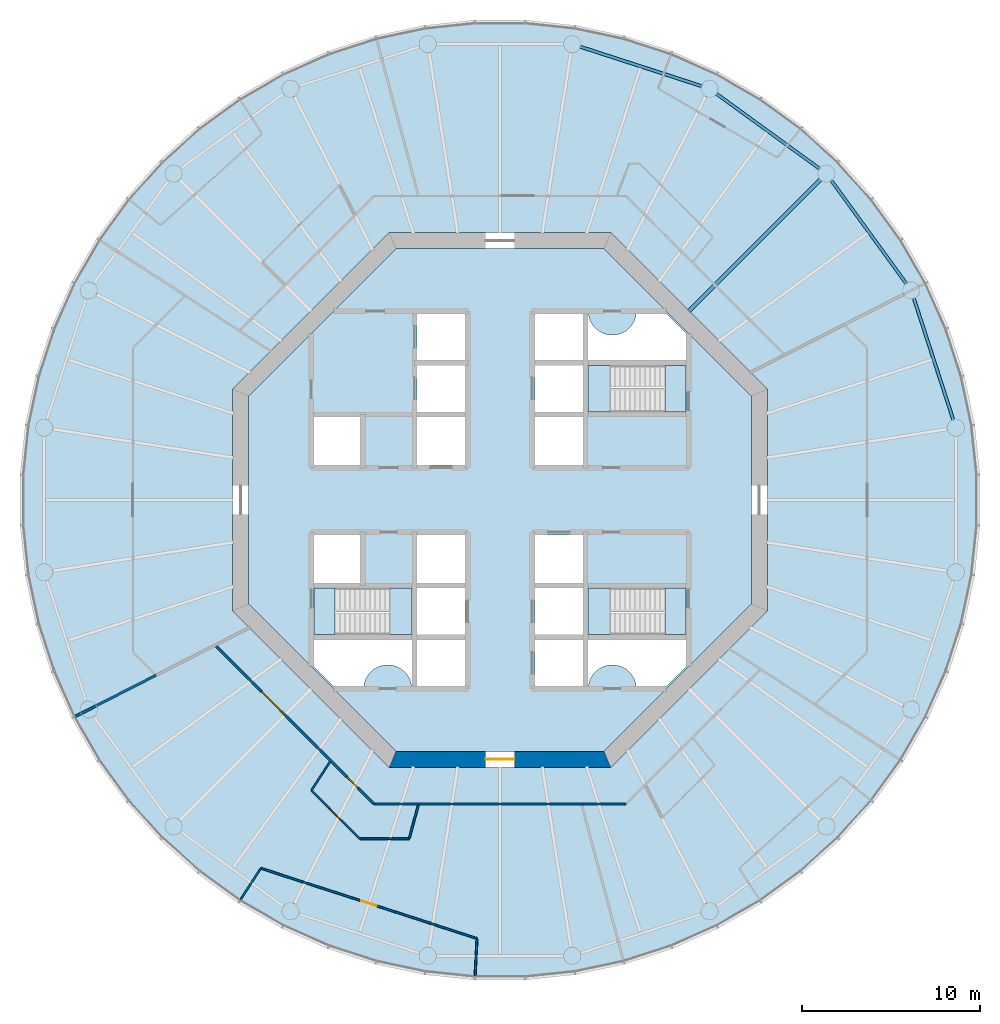
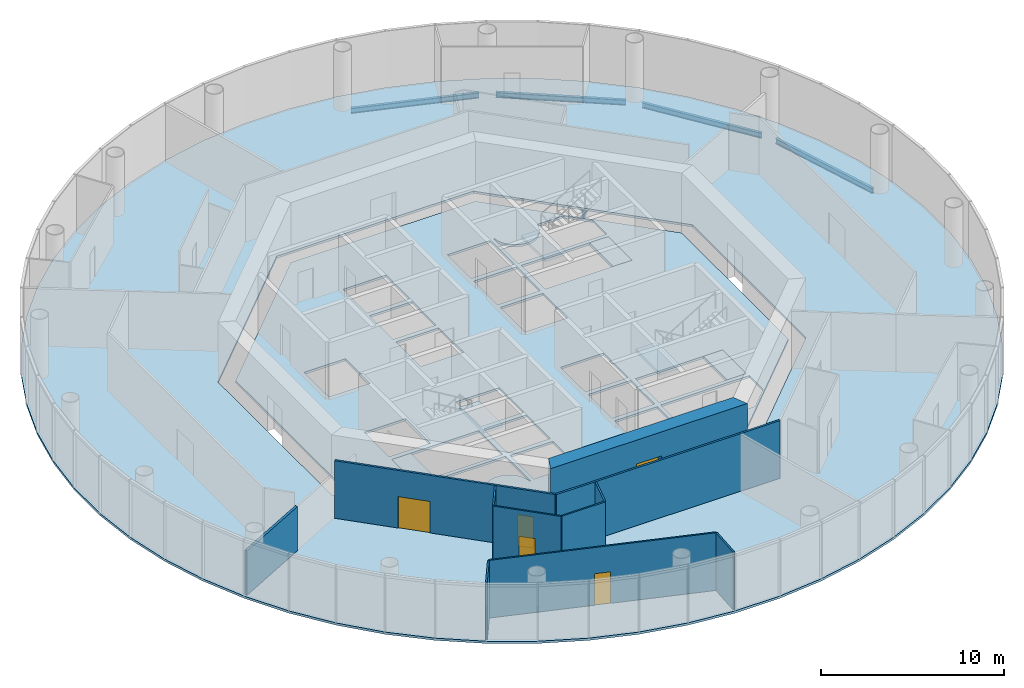
# One storey, part 2 of 12: 11 walls, 8 slabs, 5 beams, 5 doors, 5 openings, 3 elements without a shape of their own.
"""IFC4 building model written with IfcOpenShell, lengths in metres."""

from ifc_helpers import new_model, si_unit, direction, frame, frame_2d, origin, origin_2d, place, context, subcontext, project, spatial, polyline, rectangle, i_section, outline, extrude, material, layer, layer_set, material_profile, profile_set, type_object, element, fill, aggregate, save


model = new_model("IFC4")

# Units and contexts
model_context = context("Model", 3, precision=1e-05, world=origin(), true_north=direction((0.0, 1.0)))
body_context = subcontext(model_context, "Body", "Model", "MODEL_VIEW")
ifc_project = project(units=[si_unit("LENGTHUNIT", "METRE"), si_unit("AREAUNIT", "SQUARE_METRE"), si_unit("VOLUMEUNIT", "CUBIC_METRE"), si_unit("PLANEANGLEUNIT", "RADIAN"), si_unit("MASSUNIT", "GRAM", prefix="KILO")], contexts=[model_context])

# Site, building, storey
site_placement = place(None, origin())
site = spatial("IfcSite", under=ifc_project, at=site_placement, CompositionType="ELEMENT")
building_placement = place(site_placement, origin())
building = spatial("IfcBuilding", under=site, at=building_placement, Name="Entoto Ring Tower", CompositionType="ELEMENT")
storey_placement = place(building_placement, frame((0.0, 0.0, 222.0)))
storey = spatial("IfcBuildingStorey", under=building, at=storey_placement, Name="L51", CompositionType="ELEMENT", Elevation=222.0)

# Beams
ifc_material_1 = material(Name="Steel S355", Category="steel")
ifc_material_profile_1 = material_profile(ifc_material_1, i_section(OverallWidth=0.169921875, OverallDepth=0.360107421875, WebThickness=0.008056640625, FlangeThickness=0.0126953125, FilletRadius=0.01806640625, at=origin_2d()), Name="IPE 360")
ifc_profile_set_1 = profile_set([ifc_material_profile_1], Name="Steel S355")
beam_type_1 = type_object("IfcBeamType", Name="Edge beam IPE 360", PredefinedType="SPANDREL", material=ifc_profile_set_1)
beam_1_placement = place(storey_placement, frame((115.43505859375, 84.501220703125, -0.330078125), z_axis=(-0.309015118354, 0.951057125849, 0.0), x_axis=(-0.951057125849, -0.309015118354, 0.0)))
element("IfcBeam", 1, at=beam_1_placement, inside=storey, type_object=beam_type_1, Name="Edge beam L51 01", PredefinedType="SPANDREL", context=body_context, shape_type="SweptSolid", body=[
    extrude(i_section(OverallWidth=0.169921875, OverallDepth=0.360107421875, WebThickness=0.008056640625, FlangeThickness=0.0126953125, FilletRadius=0.01806640625, at=origin_2d()), origin(), (0.0, 0.0, 1.0), 7.157958984375),
])
for number, where, z_axis, x_axis, name in (
    (2, (112.79931640625, 92.140625, -0.330078125), (-0.587794432314, 0.809010324619, 0.0), (-0.809010324619, -0.587794432314, 0.0), "Edge beam L51 02"),
    (3, (107.931640625, 98.591796875, -0.330078125), (-0.809010324619, 0.587794432314, 0.0), (-0.587794432314, -0.809010324619, 0.0), "Edge beam L51 03"),
):
    element("IfcBeam", number, at=place(storey_placement, frame(where, z_axis=z_axis, x_axis=x_axis)), inside=storey, type_object=beam_type_1, Name=name, PredefinedType="SPANDREL", context=body_context, shape_type="SweptSolid", body=[
        extrude(i_section(OverallWidth=0.169921875, OverallDepth=0.360107421875, WebThickness=0.008056640625, FlangeThickness=0.0126953125, FilletRadius=0.01806640625, at=origin_2d()), origin(), (0.0, 0.0, 1.0), 7.158203125),
    ])
beam_2_placement = place(storey_placement, frame((101.308837890625, 103.22314453125, -0.330078125), z_axis=(-0.951057125849, 0.309015118354, 0.0), x_axis=(-0.309015118354, -0.951057125849, 0.0)))
element("IfcBeam", 4, at=beam_2_placement, inside=storey, type_object=beam_type_1, Name="Edge beam L51 04", PredefinedType="SPANDREL", context=body_context, shape_type="SweptSolid", body=[
    extrude(i_section(OverallWidth=0.169921875, OverallDepth=0.360107421875, WebThickness=0.008056640625, FlangeThickness=0.0126953125, FilletRadius=0.01806640625, at=origin_2d()), origin(), (0.0, 0.0, 1.0), 7.157958984375),
])
ifc_material_2 = material(Name="Steel S355", Category="steel")
ifc_material_profile_2 = material_profile(ifc_material_2, i_section(OverallWidth=0.199951171875, OverallDepth=0.5, WebThickness=0.01025390625, FlangeThickness=0.01611328125, FilletRadius=0.02099609375, at=origin_2d()), Name="IPE 500")
ifc_profile_set_2 = profile_set([ifc_material_profile_2], Name="Steel S355")
beam_type_2 = type_object("IfcBeamType", Name="Primary floor beam IPE 500", PredefinedType="BEAM", material=ifc_profile_set_2)
beam_3_placement = place(storey_placement, frame((100.592529296875, 90.592529296875, -0.39990234375), z_axis=(0.707106781187, 0.707106781187, 0.0), x_axis=(-0.707106781187, 0.707106781187, 0.0)))
element("IfcBeam", 5, at=beam_3_placement, inside=storey, type_object=beam_type_2, Name="Primary L51 R03", PredefinedType="BEAM", context=body_context, shape_type="SweptSolid", body=[
    extrude(i_section(OverallWidth=0.199951171875, OverallDepth=0.5, WebThickness=0.01025390625, FlangeThickness=0.01611328125, FilletRadius=0.02099609375, at=origin_2d()), origin(), (0.0, 0.0, 1.0), 10.4501953125),
])

# Slabs
ifc_material_3 = material(Name="Concrete C30/37", Category="concrete")
ifc_layer_1 = layer(ifc_material_3, 0.14990234375)
ifc_layer_set_1 = layer_set([ifc_layer_1], Name="Concrete C30/37")
slab_type_1 = type_object("IfcSlabType", Name="Composite floor slab 150 mm", PredefinedType="FLOOR", material=ifc_layer_set_1)
slab_1_placement = place(storey_placement, frame((0.0, 0.0, -0.14990234375)))
element("IfcSlab", 6, at=slab_1_placement, inside=storey, type_object=slab_type_1, Name="Floor slab L51", PredefinedType="FLOOR", context=body_context, shape_type="SweptSolid", body=[
    extrude(outline(polyline([(116.56884765625, 84.2080078125), (115.9833984375, 86.962158203125), (115.11328125, 89.64013671875), (113.968017578125, 92.21240234375), (112.560302734375, 94.65087890625), (110.9052734375, 96.9287109375), (109.021240234375, 99.021240234375), (106.9287109375, 100.9052734375), (104.65087890625, 102.560302734375), (102.21240234375, 103.968017578125), (99.64013671875, 105.11328125), (96.962158203125, 105.9833984375), (94.2080078125, 106.56884765625), (91.407958984375, 106.863037109375), (88.592041015625, 106.863037109375), (85.7919921875, 106.56884765625), (83.037841796875, 105.9833984375), (80.35986328125, 105.11328125), (77.78759765625, 103.968017578125), (75.34912109375, 102.560302734375), (73.0712890625, 100.9052734375), (70.978759765625, 99.021240234375), (69.0947265625, 96.9287109375), (67.439697265625, 94.65087890625), (66.031982421875, 92.21240234375), (64.88671875, 89.64013671875), (64.0166015625, 86.962158203125), (63.43115234375, 84.2080078125), (63.136962890625, 81.407958984375), (63.136962890625, 78.592041015625), (63.43115234375, 75.7919921875), (64.0166015625, 73.037841796875), (64.88671875, 70.35986328125), (66.031982421875, 67.78759765625), (67.439697265625, 65.34912109375), (69.0947265625, 63.0712890625), (70.978759765625, 60.978759765625), (73.0712890625, 59.0947265625), (75.34912109375, 57.439697265625), (77.78759765625, 56.031982421875), (80.35986328125, 54.88671875), (83.037841796875, 54.0166015625), (85.7919921875, 53.43115234375), (88.592041015625, 53.136962890625), (91.407958984375, 53.136962890625), (94.2080078125, 53.43115234375), (96.962158203125, 54.0166015625), (99.64013671875, 54.88671875), (102.21240234375, 56.031982421875), (104.65087890625, 57.439697265625), (106.9287109375, 59.0947265625), (109.021240234375, 60.978759765625), (110.9052734375, 63.0712890625), (112.560302734375, 65.34912109375), (113.968017578125, 67.78759765625), (115.11328125, 70.35986328125), (115.9833984375, 73.037841796875), (116.56884765625, 75.7919921875), (116.863037109375, 78.592041015625), (116.863037109375, 81.407958984375), (116.56884765625, 84.2080078125)]), holes=[polyline([(105.0, 73.786865234375), (105.0, 86.213134765625), (96.213134765625, 95.0), (83.786865234375, 95.0), (75.0, 86.213134765625), (75.0, 73.786865234375), (83.786865234375, 65.0), (96.213134765625, 65.0), (105.0, 73.786865234375)])]), origin(), (0.0, 0.0, 1.0), 0.14990234375),
])
ifc_material_4 = material(Name="Concrete C40/50", Category="concrete")
ifc_layer_2 = layer(ifc_material_4, 0.14990234375)
ifc_layer_set_2 = layer_set([ifc_layer_2], Name="Concrete C40/50")
slab_type_2 = type_object("IfcSlabType", Name="Core floor slab 150 mm reinforced concrete C40/50", PredefinedType="FLOOR", material=ifc_layer_set_2)
slab_2_placement = place(storey_placement, frame((0.0, 0.0, -0.14990234375)))
element("IfcSlab", 7, at=slab_2_placement, inside=storey, type_object=slab_type_2, Name="Core floor L51", PredefinedType="FLOOR", context=body_context, shape_type="SweptSolid", body=[
    extrude(outline(polyline([(104.10009765625, 74.15966796875), (104.10009765625, 85.84033203125), (95.84033203125, 94.10009765625), (84.15966796875, 94.10009765625), (75.89990234375, 85.84033203125), (75.89990234375, 74.15966796875), (84.15966796875, 65.89990234375), (95.84033203125, 65.89990234375), (104.10009765625, 74.15966796875)]), holes=[polyline([(100.449951171875, 84.949951171875), (100.449951171875, 87.550048828125), (94.949951171875, 87.550048828125), (94.949951171875, 84.949951171875), (100.449951171875, 84.949951171875)]), polyline([(85.050048828125, 72.449951171875), (85.050048828125, 75.050048828125), (79.550048828125, 75.050048828125), (79.550048828125, 72.449951171875), (85.050048828125, 72.449951171875)]), polyline([(100.449951171875, 72.449951171875), (100.449951171875, 75.050048828125), (94.949951171875, 75.050048828125), (94.949951171875, 72.449951171875), (100.449951171875, 72.449951171875)]), polyline([(91.949951171875, 84.949951171875), (94.64990234375, 84.949951171875), (94.64990234375, 87.550048828125), (91.949951171875, 87.550048828125), (91.949951171875, 84.949951171875)]), polyline([(91.949951171875, 72.449951171875), (94.64990234375, 72.449951171875), (94.64990234375, 75.050048828125), (91.949951171875, 75.050048828125), (91.949951171875, 72.449951171875)]), polyline([(91.949951171875, 69.550048828125), (94.64990234375, 69.550048828125), (94.64990234375, 72.14990234375), (91.949951171875, 72.14990234375), (91.949951171875, 69.550048828125)]), polyline([(85.35009765625, 72.449951171875), (88.050048828125, 72.449951171875), (88.050048828125, 75.050048828125), (85.35009765625, 75.050048828125), (85.35009765625, 72.449951171875)]), polyline([(85.35009765625, 81.949951171875), (88.050048828125, 81.949951171875), (88.050048828125, 84.64990234375), (85.35009765625, 84.64990234375), (85.35009765625, 81.949951171875)]), polyline([(91.949951171875, 75.35009765625), (94.64990234375, 75.35009765625), (94.64990234375, 78.050048828125), (91.949951171875, 78.050048828125), (91.949951171875, 75.35009765625)]), polyline([(79.550048828125, 81.949951171875), (82.14990234375, 81.949951171875), (82.14990234375, 84.64990234375), (79.550048828125, 84.64990234375), (79.550048828125, 81.949951171875)]), polyline([(79.550048828125, 75.35009765625), (82.14990234375, 75.35009765625), (82.14990234375, 78.050048828125), (79.550048828125, 78.050048828125), (79.550048828125, 75.35009765625)]), polyline([(91.949951171875, 87.85009765625), (94.64990234375, 87.85009765625), (94.64990234375, 90.449951171875), (91.949951171875, 90.449951171875), (91.949951171875, 87.85009765625)]), polyline([(85.35009765625, 69.550048828125), (88.050048828125, 69.550048828125), (88.050048828125, 72.14990234375), (85.35009765625, 72.14990234375), (85.35009765625, 69.550048828125)]), polyline([(91.949951171875, 81.949951171875), (94.64990234375, 81.949951171875), (94.64990234375, 84.64990234375), (91.949951171875, 84.64990234375), (91.949951171875, 81.949951171875)]), polyline([(85.35009765625, 75.35009765625), (88.050048828125, 75.35009765625), (88.050048828125, 78.050048828125), (85.35009765625, 78.050048828125), (85.35009765625, 75.35009765625)]), polyline([(85.35009765625, 84.949951171875), (88.050048828125, 84.949951171875), (88.050048828125, 87.550048828125), (85.35009765625, 87.550048828125), (85.35009765625, 84.949951171875)]), polyline([(85.35009765625, 87.85009765625), (88.050048828125, 87.85009765625), (88.050048828125, 90.449951171875), (85.35009765625, 90.449951171875), (85.35009765625, 87.85009765625)]), polyline([(94.89990234375, 90.5), (94.89990234375, 87.800048828125), (100.5, 87.800048828125), (100.5, 89.299072265625), (99.299072265625, 90.5), (97.64501953125, 90.5), (97.6435546875, 90.4677734375), (97.6240234375, 90.336669921875), (97.591796875, 90.2080078125), (97.547119140625, 90.08349609375), (97.490478515625, 89.963623046875), (97.422607421875, 89.85009765625), (97.343505859375, 89.74365234375), (97.254638671875, 89.6455078125), (97.156494140625, 89.556396484375), (97.050048828125, 89.4775390625), (96.936279296875, 89.409423828125), (96.816650390625, 89.352783203125), (96.69189453125, 89.30810546875), (96.5634765625, 89.27587890625), (96.432373046875, 89.256591796875), (96.300048828125, 89.25), (96.167724609375, 89.256591796875), (96.03662109375, 89.27587890625), (95.908203125, 89.30810546875), (95.783447265625, 89.352783203125), (95.66357421875, 89.409423828125), (95.550048828125, 89.4775390625), (95.443603515625, 89.556396484375), (95.345458984375, 89.6455078125), (95.25634765625, 89.74365234375), (95.177490234375, 89.85009765625), (95.109375, 89.963623046875), (95.052734375, 90.08349609375), (95.008056640625, 90.2080078125), (94.975830078125, 90.336669921875), (94.95654296875, 90.4677734375), (94.954833984375, 90.5), (94.89990234375, 90.5)]), polyline([(79.5, 70.700927734375), (80.700927734375, 69.5), (82.35498046875, 69.5), (82.3564453125, 69.5322265625), (82.3759765625, 69.663330078125), (82.408203125, 69.7919921875), (82.452880859375, 69.91650390625), (82.509521484375, 70.036376953125), (82.577392578125, 70.14990234375), (82.656494140625, 70.25634765625), (82.745361328125, 70.3544921875), (82.843505859375, 70.443603515625), (82.949951171875, 70.5224609375), (83.063720703125, 70.590576171875), (83.183349609375, 70.647216796875), (83.30810546875, 70.69189453125), (83.4365234375, 70.72412109375), (83.567626953125, 70.743408203125), (83.699951171875, 70.75), (83.832275390625, 70.743408203125), (83.96337890625, 70.72412109375), (84.091796875, 70.69189453125), (84.216552734375, 70.647216796875), (84.33642578125, 70.590576171875), (84.449951171875, 70.5224609375), (84.556396484375, 70.443603515625), (84.654541015625, 70.3544921875), (84.74365234375, 70.25634765625), (84.822509765625, 70.14990234375), (84.890625, 70.036376953125), (84.947265625, 69.91650390625), (84.991943359375, 69.7919921875), (85.024169921875, 69.663330078125), (85.04345703125, 69.5322265625), (85.045166015625, 69.5), (85.10009765625, 69.5), (85.10009765625, 72.199951171875), (79.5, 72.199951171875), (79.5, 70.700927734375)]), polyline([(97.64501953125, 69.5), (99.299072265625, 69.5), (100.5, 70.700927734375), (100.5, 72.199951171875), (94.89990234375, 72.199951171875), (94.89990234375, 69.5), (94.954833984375, 69.5), (94.95654296875, 69.5322265625), (94.975830078125, 69.663330078125), (95.008056640625, 69.7919921875), (95.052734375, 69.91650390625), (95.109375, 70.036376953125), (95.177490234375, 70.14990234375), (95.25634765625, 70.25634765625), (95.345458984375, 70.3544921875), (95.443603515625, 70.443603515625), (95.550048828125, 70.5224609375), (95.66357421875, 70.590576171875), (95.783447265625, 70.647216796875), (95.908203125, 70.69189453125), (96.03662109375, 70.72412109375), (96.167724609375, 70.743408203125), (96.300048828125, 70.75), (96.432373046875, 70.743408203125), (96.5634765625, 70.72412109375), (96.69189453125, 70.69189453125), (96.816650390625, 70.647216796875), (96.936279296875, 70.590576171875), (97.050048828125, 70.5224609375), (97.156494140625, 70.443603515625), (97.254638671875, 70.3544921875), (97.343505859375, 70.25634765625), (97.422607421875, 70.14990234375), (97.490478515625, 70.036376953125), (97.547119140625, 69.91650390625), (97.591796875, 69.7919921875), (97.6240234375, 69.663330078125), (97.6435546875, 69.5322265625), (97.64501953125, 69.5)])]), origin(), (0.0, 0.0, 1.0), 0.14990234375),
])

# Stair, slabs
ifc_material_5 = material(Name="Concrete C40/50", Category="concrete")
stair_type = type_object("IfcStairType", Name="Exit stair 1200 mm dog-leg reinforced concrete", PredefinedType="HALF_TURN_STAIR", material=ifc_material_5)
stair_1_placement = place(storey_placement, origin())
stair_1 = element("IfcStair", 8, at=stair_1_placement, inside=storey, type_object=stair_type, Name="Exit stair 1", PredefinedType="HALF_TURN_STAIR")
ifc_material_6 = material(Name="Concrete C40/50", Category="concrete")
ifc_layer_3 = layer(ifc_material_6, 0.199951171875)
ifc_layer_set_3 = layer_set([ifc_layer_3], Name="Concrete C40/50")
slab_type_3 = type_object("IfcSlabType", Name="Stair landing 200 mm reinforced concrete", PredefinedType="LANDING", material=ifc_layer_set_3)
slab_3_placement = place(storey_placement, frame((0.0, 0.0, -0.199951171875)))
slab_3 = element("IfcSlab", 9, at=slab_3_placement, type_object=slab_type_3, Name="ST1 landing 1", PredefinedType="LANDING", context=body_context, shape_type="SweptSolid", body=[
    extrude(outline(polyline([(100.449951171875, 84.949951171875), (100.449951171875, 87.550048828125), (99.25, 87.550048828125), (99.25, 84.949951171875), (100.449951171875, 84.949951171875)])), origin(), (0.0, 0.0, 1.0), 0.199951171875),
])
slab_4_placement = place(storey_placement, frame((0.0, 0.0, 1.800048828125)))
slab_4 = element("IfcSlab", 10, at=slab_4_placement, type_object=slab_type_3, Name="ST1 landing 2", PredefinedType="LANDING", context=body_context, shape_type="SweptSolid", body=[
    extrude(outline(polyline([(94.949951171875, 84.949951171875), (96.169921875, 84.949951171875), (96.169921875, 87.550048828125), (94.949951171875, 87.550048828125), (94.949951171875, 84.949951171875)])), origin(), (0.0, 0.0, 1.0), 0.199951171875),
])
aggregate(stair_1, [slab_3, slab_4])

stair_2_placement = place(storey_placement, origin())
stair_2 = element("IfcStair", 11, at=stair_2_placement, inside=storey, type_object=stair_type, Name="Exit stair 2", PredefinedType="HALF_TURN_STAIR")
slab_5_placement = place(storey_placement, frame((0.0, 0.0, -0.199951171875)))
slab_5 = element("IfcSlab", 12, at=slab_5_placement, type_object=slab_type_3, Name="ST2 landing 1", PredefinedType="LANDING", context=body_context, shape_type="SweptSolid", body=[
    extrude(outline(polyline([(80.75, 72.449951171875), (80.75, 75.050048828125), (79.550048828125, 75.050048828125), (79.550048828125, 72.449951171875), (80.75, 72.449951171875)])), origin(), (0.0, 0.0, 1.0), 0.199951171875),
])
slab_6_placement = place(storey_placement, frame((0.0, 0.0, 1.800048828125)))
slab_6 = element("IfcSlab", 13, at=slab_6_placement, type_object=slab_type_3, Name="ST2 landing 2", PredefinedType="LANDING", context=body_context, shape_type="SweptSolid", body=[
    extrude(outline(polyline([(83.830078125, 72.449951171875), (85.050048828125, 72.449951171875), (85.050048828125, 75.050048828125), (83.830078125, 75.050048828125), (83.830078125, 72.449951171875)])), origin(), (0.0, 0.0, 1.0), 0.199951171875),
])
aggregate(stair_2, [slab_5, slab_6])

stair_3_placement = place(storey_placement, origin())
stair_3 = element("IfcStair", 14, at=stair_3_placement, inside=storey, type_object=stair_type, Name="Exit stair 3", PredefinedType="HALF_TURN_STAIR")
slab_7_placement = place(storey_placement, frame((0.0, 0.0, -0.199951171875)))
slab_7 = element("IfcSlab", 15, at=slab_7_placement, type_object=slab_type_3, Name="ST3 landing 1", PredefinedType="LANDING", context=body_context, shape_type="SweptSolid", body=[
    extrude(outline(polyline([(100.449951171875, 72.449951171875), (100.449951171875, 75.050048828125), (99.25, 75.050048828125), (99.25, 72.449951171875), (100.449951171875, 72.449951171875)])), origin(), (0.0, 0.0, 1.0), 0.199951171875),
])
slab_8_placement = place(storey_placement, frame((0.0, 0.0, 1.800048828125)))
slab_8 = element("IfcSlab", 16, at=slab_8_placement, type_object=slab_type_3, Name="ST3 landing 2", PredefinedType="LANDING", context=body_context, shape_type="SweptSolid", body=[
    extrude(outline(polyline([(94.949951171875, 72.449951171875), (96.169921875, 72.449951171875), (96.169921875, 75.050048828125), (94.949951171875, 75.050048828125), (94.949951171875, 72.449951171875)])), origin(), (0.0, 0.0, 1.0), 0.199951171875),
])
aggregate(stair_3, [slab_7, slab_8])

# Wall, opening, door
ifc_material_7 = material(Name="Concrete C50/60", Category="concrete")
ifc_layer_4 = layer(ifc_material_7, 0.89990234375)
ifc_layer_set_4 = layer_set([ifc_layer_4], Name="Concrete C50/60")
wall_type_1 = type_object("IfcWallType", Name="Core shear wall 900 mm reinforced concrete C50/60", PredefinedType="SHEAR", material=ifc_layer_set_4)
wall_1_placement = place(storey_placement, frame((83.97314453125, 65.449951171875, 0.0), z_axis=(0.0, 0.0, 1.0), x_axis=(1.0, 0.0, 0.0)))
wall_1 = element("IfcWall", 17, at=wall_1_placement, inside=storey, type_object=wall_type_1, Name="wall-L51-core-6", PredefinedType="SHEAR", context=body_context, shape_type="SweptSolid", body=[
    extrude(outline(polyline([(-0.186279296875, -0.449951171875), (12.239990234375, -0.449951171875), (11.867431640625, 0.449951171875), (0.186279296875, 0.449951171875), (-0.186279296875, -0.449951171875)])), origin(), (0.0, 0.0, 1.0), 4.0),
])
opening_1_placement = place(wall_1_placement, frame((5.226806640625, 0.0, 0.0)))
opening_1 = element("IfcOpeningElement", 18, at=opening_1_placement, cuts=wall_1, Name="Opening K-04", PredefinedType="OPENING", context=body_context, shape_type="SweptSolid", body=[
    extrude(rectangle(XDim=1.60009765625, YDim=2.39990234375, at=frame_2d((0.800048828125, 1.199951171875))), frame((0.0, 0.4599609375, 0.0), z_axis=(0.0, -1.0, 0.0), x_axis=(1.0, 0.0, 0.0)), (0.0, 0.0, 1.0), 0.919921875),
])
ifc_material_8 = material(Name="Steel door leaf, fire rated", Category="steel")
ifc_layer_5 = layer(ifc_material_8, 0.050048828125)
ifc_layer_set_5 = layer_set([ifc_layer_5], Name="Steel door leaf, fire rated")
door_type_1 = type_object("IfcDoorType", Name="Entrance door FD60 1600 x 2400 double leaf", OperationType="DOUBLE_DOOR_SINGLE_SWING", PredefinedType="DOOR", material=ifc_layer_set_5)
door_1_placement = place(opening_1_placement, origin())
door_1 = element("IfcDoor", 19, at=door_1_placement, inside=storey, type_object=door_type_1, Name="Entrance door K-04", OperationType="DOUBLE_DOOR_SINGLE_SWING", OverallHeight=2.39990234375, OverallWidth=1.60009765625, PredefinedType="DOOR", context=body_context, shape_type="SweptSolid", body=[
    extrude(rectangle(XDim=1.60009765625, YDim=2.39990234375, at=frame_2d((0.800048828125, 1.199951171875))), frame((0.0, 0.02490234375, 0.0), z_axis=(0.0, -1.0, 0.0), x_axis=(1.0, 0.0, 0.0)), (0.0, 0.0, 1.0), 0.050048828125),
])
fill(opening_1, door_1)

# Wall
ifc_material_9 = material(Name="Fire-resisting plasterboard on steel studs", Category="steel")
ifc_layer_6 = layer(ifc_material_9, 0.125)
ifc_layer_set_6 = layer_set([ifc_layer_6], Name="Fire-resisting plasterboard on steel studs")
wall_type_2 = type_object("IfcWallType", Name="Corridor wall 125 mm one-hour plasterboard on steel studs", PredefinedType="PARTITIONING", material=ifc_layer_set_6)
wall_2_placement = place(storey_placement, frame((82.9326171875, 62.9375, 0.0), z_axis=(0.0, 0.0, 1.0), x_axis=(1.0, 0.0, 0.0)))
element("IfcWall", 20, at=wall_2_placement, inside=storey, type_object=wall_type_2, Name="partition-L51-003", PredefinedType="PARTITIONING", context=body_context, shape_type="SweptSolid", body=[
    extrude(rectangle(XDim=14.134765625, YDim=0.125, at=frame_2d((7.0673828125, 0.0))), origin(), (0.0, 0.0, 1.0), 3.85009765625),
])

# Wall, openings, doors
wall_3_placement = place(storey_placement, frame((82.9013671875, 62.968505859375, 0.0), z_axis=(0.0, 0.0, 1.0), x_axis=(-0.707106781187, 0.707106781187, 0.0)))
wall_3 = element("IfcWall", 21, at=wall_3_placement, inside=storey, type_object=wall_type_2, Name="partition-L51-005", PredefinedType="PARTITIONING", context=body_context, shape_type="SweptSolid", body=[
    extrude(rectangle(XDim=12.481689453125, YDim=0.125, at=frame_2d((6.24072265625, 0.0))), origin(), (0.0, 0.0, 1.0), 3.85009765625),
])
opening_2_placement = place(wall_3_placement, frame((7.08203125, 0.0, 0.0)))
opening_2 = element("IfcOpeningElement", 22, at=opening_2_placement, cuts=wall_3, Name="Opening A22-D10", PredefinedType="OPENING", context=body_context, shape_type="SweptSolid", body=[
    extrude(rectangle(XDim=1.800048828125, YDim=2.10009765625, at=frame_2d((0.89990234375, 1.050048828125))), frame((0.0, 0.072509765625, 0.0), z_axis=(0.0, -1.0, 0.0), x_axis=(1.0, 0.0, 0.0)), (0.0, 0.0, 1.0), 0.14501953125),
])
opening_3_placement = place(wall_3_placement, frame((1.2265625, 0.0, 0.0)))
opening_3 = element("IfcOpeningElement", 23, at=opening_3_placement, cuts=wall_3, Name="Opening A22-D12", PredefinedType="OPENING", context=body_context, shape_type="SweptSolid", body=[
    extrude(rectangle(XDim=0.89990234375, YDim=2.10009765625, at=frame_2d((0.449951171875, 1.050048828125))), frame((0.0, 0.072509765625, 0.0), z_axis=(0.0, -1.0, 0.0), x_axis=(1.0, 0.0, 0.0)), (0.0, 0.0, 1.0), 0.14501953125),
])
ifc_material_10 = material(Name="Fire-resisting timber door set", Category="wood")
door_type_2 = type_object("IfcDoorType", Name="Door 1000 x 2100 single leaf FD30S fire door", OperationType="NOTDEFINED", PredefinedType="DOOR", material=ifc_material_10)
door_2_placement = place(opening_3_placement, origin())
door_2 = element("IfcDoor", 24, at=door_2_placement, inside=storey, type_object=door_type_2, Name="Door A22-D12", OperationType="SINGLE_SWING_RIGHT", OverallHeight=2.10009765625, OverallWidth=0.89990234375, PredefinedType="DOOR", context=body_context, shape_type="SweptSolid", body=[
    extrude(rectangle(XDim=0.89990234375, YDim=2.10009765625, at=frame_2d((0.449951171875, 1.050048828125))), frame((0.0, 0.02490234375, 0.0), z_axis=(0.0, -1.0, 0.0), x_axis=(1.0, 0.0, 0.0)), (0.0, 0.0, 1.0), 0.050048828125),
])
fill(opening_3, door_2)
ifc_material_11 = material(Name="Fire-resisting timber door set", Category="wood")
door_type_3 = type_object("IfcDoorType", Name="Door 1800 x 2100 double leaf FD30S fire door", OperationType="DOUBLE_DOOR_SINGLE_SWING", PredefinedType="DOOR", material=ifc_material_11)
door_3_placement = place(opening_2_placement, origin())
door_3 = element("IfcDoor", 25, at=door_3_placement, inside=storey, type_object=door_type_3, Name="Door A22-D10", OperationType="DOUBLE_DOOR_SINGLE_SWING", OverallHeight=2.10009765625, OverallWidth=1.800048828125, PredefinedType="DOOR", context=body_context, shape_type="SweptSolid", body=[
    extrude(rectangle(XDim=1.800048828125, YDim=2.10009765625, at=frame_2d((0.89990234375, 1.050048828125))), frame((0.0, 0.02490234375, 0.0), z_axis=(0.0, -1.0, 0.0), x_axis=(1.0, 0.0, 0.0)), (0.0, 0.0, 1.0), 0.050048828125),
])
fill(opening_2, door_3)

# Wall, opening, door
ifc_material_12 = material(Name="Plasterboard on steel studs", Category="steel")
ifc_layer_7 = layer(ifc_material_12, 0.10009765625)
ifc_layer_set_7 = layer_set([ifc_layer_7], Name="Plasterboard on steel studs")
wall_type_3 = type_object("IfcWallType", Name="Partition 100 mm plasterboard on steel studs", PredefinedType="PARTITIONING", material=ifc_layer_set_7)
wall_4_placement = place(storey_placement, frame((88.71044921875, 55.393798828125, 0.0), z_axis=(0.0, 0.0, 1.0), x_axis=(-0.951056291427, 0.309017686447, 0.0)))
wall_4 = element("IfcWall", 26, at=wall_4_placement, inside=storey, type_object=wall_type_3, Name="partition-L51-023", PredefinedType="PARTITIONING", context=body_context, shape_type="SweptSolid", body=[
    extrude(rectangle(XDim=12.754638671875, YDim=0.10009765625, at=frame_2d((6.37744140625, 0.0))), origin(), (0.0, 0.0, 1.0), 3.85009765625),
])
opening_4_placement = place(wall_4_placement, frame((5.92724609375, 0.0, 0.0)))
opening_4 = element("IfcOpeningElement", 27, at=opening_4_placement, cuts=wall_4, Name="Opening A22-D13", PredefinedType="OPENING", context=body_context, shape_type="SweptSolid", body=[
    extrude(rectangle(XDim=0.89990234375, YDim=2.10009765625, at=frame_2d((0.449951171875, 1.050048828125))), frame((0.0, 0.06005859375, 0.0), z_axis=(0.0, -1.0, 0.0), x_axis=(1.0, 0.0, 0.0)), (0.0, 0.0, 1.0), 0.1201171875),
])
ifc_material_13 = material(Name="Veneered timber door leaf in timber frame", Category="wood")
door_type_4 = type_object("IfcDoorType", Name="Door 900 x 2100 single leaf timber veneer", OperationType="NOTDEFINED", PredefinedType="DOOR", material=ifc_material_13)
door_4_placement = place(opening_4_placement, origin())
door_4 = element("IfcDoor", 28, at=door_4_placement, inside=storey, type_object=door_type_4, Name="Door A22-D13", OperationType="SINGLE_SWING_RIGHT", OverallHeight=2.10009765625, OverallWidth=0.89990234375, PredefinedType="DOOR", context=body_context, shape_type="SweptSolid", body=[
    extrude(rectangle(XDim=0.89990234375, YDim=2.10009765625, at=frame_2d((0.449951171875, 1.050048828125))), frame((0.0, 0.02490234375, 0.0), z_axis=(0.0, -1.0, 0.0), x_axis=(1.0, 0.0, 0.0)), (0.0, 0.0, 1.0), 0.050048828125),
])
fill(opening_4, door_4)

wall_5_placement = place(storey_placement, frame((82.124755859375, 60.987548828125, 0.0), z_axis=(0.0, 0.0, 1.0), x_axis=(-0.707106781187, 0.707106781187, 0.0)))
wall_5 = element("IfcWall", 29, at=wall_5_placement, inside=storey, type_object=wall_type_3, Name="partition-L51-030", PredefinedType="PARTITIONING", context=body_context, shape_type="SweptSolid", body=[
    extrude(rectangle(XDim=3.833740234375, YDim=0.10009765625, at=frame_2d((1.9169921875, 0.0))), origin(), (0.0, 0.0, 1.0), 3.85009765625),
])
opening_5_placement = place(wall_5_placement, frame((1.467041015625, 0.0, 0.0)))
opening_5 = element("IfcOpeningElement", 30, at=opening_5_placement, cuts=wall_5, Name="Opening A22-D11", PredefinedType="OPENING", context=body_context, shape_type="SweptSolid", body=[
    extrude(rectangle(XDim=0.89990234375, YDim=2.10009765625, at=frame_2d((0.449951171875, 1.050048828125))), frame((0.0, 0.06005859375, 0.0), z_axis=(0.0, -1.0, 0.0), x_axis=(1.0, 0.0, 0.0)), (0.0, 0.0, 1.0), 0.1201171875),
])
door_5_placement = place(opening_5_placement, frame((0.89990234375, 0.0, 0.0), z_axis=(0.0, 0.0, 1.0), x_axis=(-1.0, 0.0, 0.0)))
door_5 = element("IfcDoor", 31, at=door_5_placement, inside=storey, type_object=door_type_4, Name="Door A22-D11", OperationType="SINGLE_SWING_LEFT", OverallHeight=2.10009765625, OverallWidth=0.89990234375, PredefinedType="DOOR", context=body_context, shape_type="SweptSolid", body=[
    extrude(rectangle(XDim=0.89990234375, YDim=2.10009765625, at=frame_2d((0.449951171875, 1.050048828125))), frame((0.0, 0.02490234375, 0.0), z_axis=(0.0, -1.0, 0.0), x_axis=(1.0, 0.0, 0.0)), (0.0, 0.0, 1.0), 0.050048828125),
])
fill(opening_5, door_5)

# Walls
wall_6_placement = place(storey_placement, frame((82.159912109375, 60.987548828125, 0.0), z_axis=(0.0, 0.0, 1.0), x_axis=(1.0, 0.0, 0.0)))
element("IfcWall", 32, at=wall_6_placement, inside=storey, type_object=wall_type_3, Name="partition-L51-031", PredefinedType="PARTITIONING", context=body_context, shape_type="SweptSolid", body=[
    extrude(rectangle(XDim=2.74560546875, YDim=0.10009765625, at=frame_2d((1.372802734375, 0.0))), origin(), (0.0, 0.0, 1.0), 3.85009765625),
])
for number, where, z_axis, x_axis, name in (
    (33, (88.6005859375, 53.296630859375, 0.0), (0.0, 0.0, 1.0), (0.052352747294, 0.998628654631, 0.0), "partition-L51-034"),
    (34, (75.436279296875, 57.573974609375, 0.0), (0.0, 0.0, 1.0), (0.544666304989, 0.838652857987, 0.0), "partition-L51-035"),
):
    element("IfcWall", number, at=place(storey_placement, frame(where, z_axis=z_axis, x_axis=x_axis)), inside=storey, type_object=wall_type_3, Name=name, PredefinedType="PARTITIONING", context=body_context, shape_type="SweptSolid", body=[
        extrude(rectangle(XDim=2.052001953125, YDim=0.10009765625, at=frame_2d((1.02587890625, 0.0))), origin(), (0.0, 0.0, 1.0), 3.85009765625),
    ])
wall_7_placement = place(storey_placement, frame((84.918212890625, 61.033935546875, 0.0), z_axis=(0.0, 0.0, 1.0), x_axis=(0.258738234287, 0.965947475859, 0.0)))
element("IfcWall", 35, at=wall_7_placement, inside=storey, type_object=wall_type_3, Name="partition-L51-039", PredefinedType="PARTITIONING", context=body_context, shape_type="SweptSolid", body=[
    extrude(rectangle(XDim=1.892822265625, YDim=0.10009765625, at=frame_2d((0.9462890625, 0.0))), origin(), (0.0, 0.0, 1.0), 3.85009765625),
])
wall_8_placement = place(storey_placement, frame((79.440185546875, 63.739501953125, 0.0), z_axis=(0.0, 0.0, 1.0), x_axis=(0.54469009927, 0.83863740422, 0.0)))
element("IfcWall", 36, at=wall_8_placement, inside=storey, type_object=wall_type_3, Name="partition-L51-042", PredefinedType="PARTITIONING", context=body_context, shape_type="SweptSolid", body=[
    extrude(rectangle(XDim=1.870361328125, YDim=0.10009765625, at=frame_2d((0.93505859375, 0.0))), origin(), (0.0, 0.0, 1.0), 3.85009765625),
])
ifc_material_14 = material(Name="Fire-resisting acoustic plasterboard on steel studs", Category="steel")
ifc_layer_8 = layer(ifc_material_14, 0.14990234375)
ifc_layer_set_8 = layer_set([ifc_layer_8], Name="Fire-resisting acoustic plasterboard on steel studs")
wall_type_4 = type_object("IfcWallType", Name="Party wall 150 mm one-hour acoustic plasterboard on steel studs, 2950 mm high", PredefinedType="PARTITIONING", material=ifc_layer_set_8)
wall_9_placement = place(storey_placement, frame((66.174560546875, 67.8603515625, 0.0), z_axis=(0.0, 0.0, 1.0), x_axis=(0.891008318763, 0.453986977671, 0.0)))
element("IfcWall", 37, at=wall_9_placement, inside=storey, type_object=wall_type_4, Name="partition-L51-022", PredefinedType="PARTITIONING", context=body_context, shape_type="SweptSolid", body=[
    extrude(rectangle(XDim=5.079833984375, YDim=0.14990234375, at=frame_2d((2.5400390625, 0.0))), origin(), (0.0, 0.0, 1.0), 2.949951171875),
])

save(model, "model.ifc")
